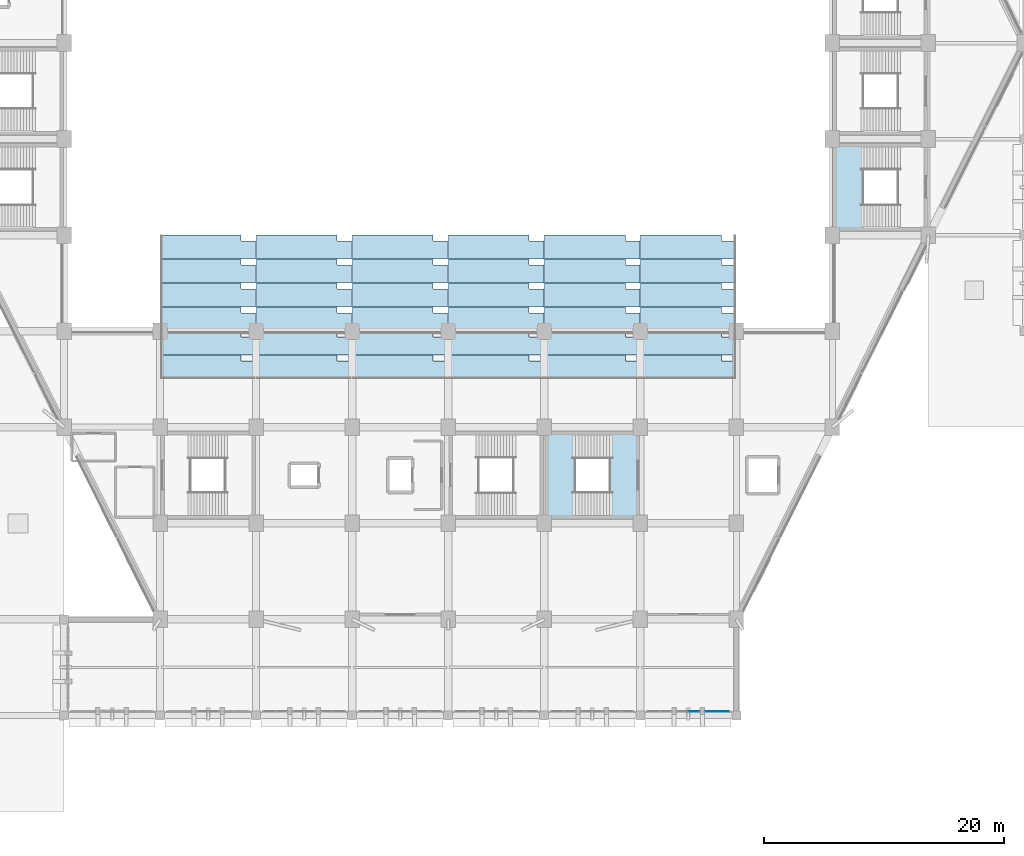
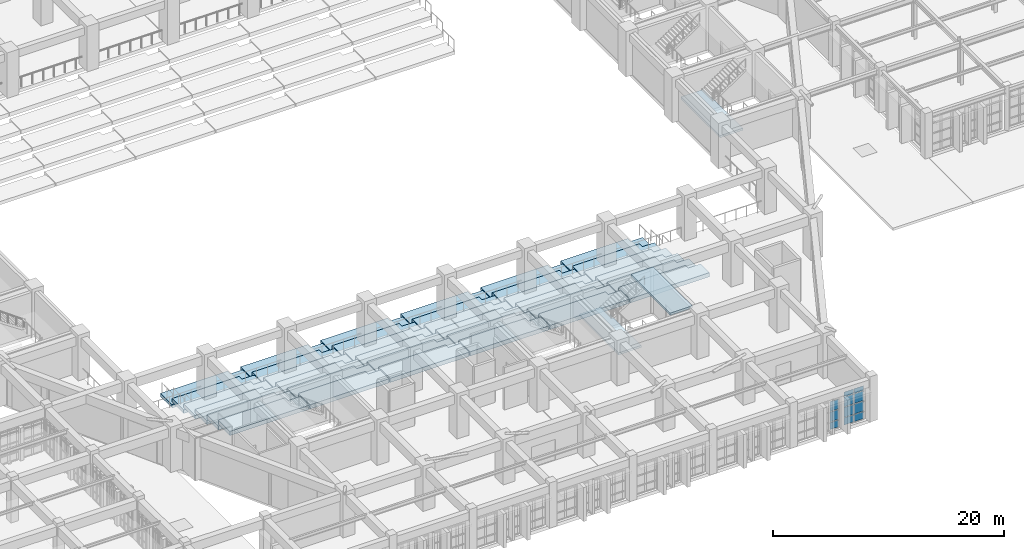
# One storey, part 97 of 155: 39 slabs, 11 plates, 4 elements without a shape of their own.
"""IFC4 building model written with IfcOpenShell, lengths in metres."""

from ifc_helpers import new_model, si_unit, direction, frame, origin, origin_2d, place, context, subcontext, project, spatial, polyline, rectangle, outline, extrude, material, layer, layer_set, type_object, element, aggregate, save


model = new_model("IFC4")

# Units and contexts
model_context = context("Model", 3, precision=1e-05, world=origin(), true_north=direction((0.0, 1.0)))
body_context = subcontext(model_context, "Body", "Model", "MODEL_VIEW")
ifc_project = project(units=[si_unit("LENGTHUNIT", "METRE"), si_unit("AREAUNIT", "SQUARE_METRE"), si_unit("VOLUMEUNIT", "CUBIC_METRE"), si_unit("PLANEANGLEUNIT", "RADIAN"), si_unit("MASSUNIT", "GRAM", prefix="KILO")], contexts=[model_context])

# Site, building, storey
site_placement = place(None, origin())
site = spatial("IfcSite", under=ifc_project, at=site_placement, CompositionType="ELEMENT")
building_placement = place(site_placement, origin())
building = spatial("IfcBuilding", under=site, at=building_placement, Name="Tazarka Park Arena", CompositionType="ELEMENT")
storey_placement = place(building_placement, frame((0.0, 0.0, 5.39990234375)))
storey = spatial("IfcBuildingStorey", under=building, at=storey_placement, Name="L01", CompositionType="ELEMENT", Elevation=5.39990234375)

# Curtain wall, plates
ifc_material_1 = material(Name="Aluminium and low-e glass", Category="aluminium")
ifc_layer_1 = layer(ifc_material_1, 0.179931640625, Name="Aluminium and low-e glass")
ifc_layer_set_1 = layer_set([ifc_layer_1], Name="Aluminium and low-e glass")
curtain_wall_type_1 = type_object("IfcCurtainWallType", Name="CW-22", PredefinedType="NOTDEFINED", material=ifc_layer_set_1)
curtain_wall_1_placement = place(storey_placement, origin())
curtain_wall_1 = element("IfcCurtainWall", 1, at=curtain_wall_1_placement, inside=storey, type_object=curtain_wall_type_1, Name="Curtain Wall CWA-L01-022", PredefinedType="NOTDEFINED")
ifc_material_2 = material(Name="Triple acoustic solar glazing", Category="glass")
ifc_layer_2 = layer(ifc_material_2, 0.031982421875, Name="Triple acoustic solar glazing")
ifc_layer_set_2 = layer_set([ifc_layer_2], Name="Triple acoustic solar glazing")
plate_type_1 = type_object("IfcPlateType", Name="CWP-02", PredefinedType="CURTAIN_PANEL", material=ifc_layer_set_2)
plate_1_placement = place(storey_placement, frame((110.91552734375, 8.320068359375, 0.065185546875), z_axis=(0.0, 0.0, 1.0), x_axis=(-1.0, 0.0, 0.0)))
plate_1 = element("IfcPlate", 2, at=plate_1_placement, type_object=plate_type_1, Name="CW-22 panel 1.1", PredefinedType="CURTAIN_PANEL", context=body_context, shape_type="SweptSolid", body=[
    extrude(rectangle(XDim=0.92919921875, YDim=0.031982421875, at=origin_2d()), origin(), (0.0, 0.0, 1.0), 0.75244140625),
])
plate_2_placement = place(storey_placement, frame((110.91552734375, 8.320068359375, 0.8828125), z_axis=(0.0, 0.0, 1.0), x_axis=(-1.0, 0.0, 0.0)))
plate_2 = element("IfcPlate", 3, at=plate_2_placement, type_object=plate_type_1, Name="CW-22 panel 1.2", PredefinedType="CURTAIN_PANEL", context=body_context, shape_type="SweptSolid", body=[
    extrude(rectangle(XDim=0.92919921875, YDim=0.031982421875, at=origin_2d()), origin(), (0.0, 0.0, 1.0), 1.034912109375),
])
plate_3_placement = place(storey_placement, frame((110.91552734375, 8.320068359375, 1.982421875), z_axis=(0.0, 0.0, 1.0), x_axis=(-1.0, 0.0, 0.0)))
plate_3 = element("IfcPlate", 4, at=plate_3_placement, type_object=plate_type_1, Name="CW-22 panel 1.3", PredefinedType="CURTAIN_PANEL", context=body_context, shape_type="SweptSolid", body=[
    extrude(rectangle(XDim=0.92919921875, YDim=0.031982421875, at=origin_2d()), origin(), (0.0, 0.0, 1.0), 1.034912109375),
])
plate_4_placement = place(storey_placement, frame((110.91552734375, 8.320068359375, 3.08251953125), z_axis=(0.0, 0.0, 1.0), x_axis=(-1.0, 0.0, 0.0)))
plate_4 = element("IfcPlate", 5, at=plate_4_placement, type_object=plate_type_1, Name="CW-22 panel 1.4", PredefinedType="CURTAIN_PANEL", context=body_context, shape_type="SweptSolid", body=[
    extrude(rectangle(XDim=0.92919921875, YDim=0.031982421875, at=origin_2d()), origin(), (0.0, 0.0, 1.0), 0.452392578125),
])
plate_5_placement = place(storey_placement, frame((109.92138671875, 8.320068359375, 0.065185546875), z_axis=(0.0, 0.0, 1.0), x_axis=(-1.0, 0.0, 0.0)))
plate_5 = element("IfcPlate", 6, at=plate_5_placement, type_object=plate_type_1, Name="CW-22 panel 2.1", PredefinedType="CURTAIN_PANEL", context=body_context, shape_type="SweptSolid", body=[
    extrude(rectangle(XDim=0.92919921875, YDim=0.031982421875, at=origin_2d()), origin(), (0.0, 0.0, 1.0), 0.75244140625),
])
plate_6_placement = place(storey_placement, frame((109.92138671875, 8.320068359375, 0.8828125), z_axis=(0.0, 0.0, 1.0), x_axis=(-1.0, 0.0, 0.0)))
plate_6 = element("IfcPlate", 7, at=plate_6_placement, type_object=plate_type_1, Name="CW-22 panel 2.2", PredefinedType="CURTAIN_PANEL", context=body_context, shape_type="SweptSolid", body=[
    extrude(rectangle(XDim=0.92919921875, YDim=0.031982421875, at=origin_2d()), origin(), (0.0, 0.0, 1.0), 1.034912109375),
])
plate_7_placement = place(storey_placement, frame((109.92138671875, 8.320068359375, 1.982421875), z_axis=(0.0, 0.0, 1.0), x_axis=(-1.0, 0.0, 0.0)))
plate_7 = element("IfcPlate", 8, at=plate_7_placement, type_object=plate_type_1, Name="CW-22 panel 2.3", PredefinedType="CURTAIN_PANEL", context=body_context, shape_type="SweptSolid", body=[
    extrude(rectangle(XDim=0.92919921875, YDim=0.031982421875, at=origin_2d()), origin(), (0.0, 0.0, 1.0), 1.034912109375),
])
plate_8_placement = place(storey_placement, frame((109.92138671875, 8.320068359375, 3.08251953125), z_axis=(0.0, 0.0, 1.0), x_axis=(-1.0, 0.0, 0.0)))
plate_8 = element("IfcPlate", 9, at=plate_8_placement, type_object=plate_type_1, Name="CW-22 panel 2.4", PredefinedType="CURTAIN_PANEL", context=body_context, shape_type="SweptSolid", body=[
    extrude(rectangle(XDim=0.92919921875, YDim=0.031982421875, at=origin_2d()), origin(), (0.0, 0.0, 1.0), 0.452392578125),
])
aggregate(curtain_wall_1, [plate_1, plate_2, plate_3, plate_4, plate_5, plate_6, plate_7, plate_8])

ifc_material_3 = material(Name="Aluminium and low-e glass", Category="aluminium")
ifc_layer_3 = layer(ifc_material_3, 0.179931640625, Name="Aluminium and low-e glass")
ifc_layer_set_3 = layer_set([ifc_layer_3], Name="Aluminium and low-e glass")
curtain_wall_type_2 = type_object("IfcCurtainWallType", Name="CW-23", PredefinedType="NOTDEFINED", material=ifc_layer_set_3)
curtain_wall_2_placement = place(storey_placement, origin())
curtain_wall_2 = element("IfcCurtainWall", 10, at=curtain_wall_2_placement, inside=storey, type_object=curtain_wall_type_2, Name="Curtain Wall CWA-L01-023", PredefinedType="NOTDEFINED")
ifc_material_4 = material(Name="Insulated aluminium spandrel panel", Category="aluminium")
ifc_layer_4 = layer(ifc_material_4, 0.035888671875, Name="Insulated aluminium spandrel panel")
ifc_layer_set_4 = layer_set([ifc_layer_4], Name="Insulated aluminium spandrel panel")
plate_type_2 = type_object("IfcPlateType", Name="CWP-03", PredefinedType="CURTAIN_PANEL", material=ifc_layer_set_4)
plate_9_placement = place(storey_placement, frame((108.467041015625, 8.320068359375, 0.0751953125), z_axis=(0.0, 0.0, 1.0), x_axis=(-1.0, 0.0, 0.0)))
plate_9 = element("IfcPlate", 11, at=plate_9_placement, type_object=plate_type_2, Name="CW-23 panel 1.1", PredefinedType="CURTAIN_PANEL", context=body_context, shape_type="SweptSolid", body=[
    extrude(rectangle(XDim=0.859130859375, YDim=0.035888671875, at=origin_2d()), origin(), (0.0, 0.0, 1.0), 0.737548828125),
])
plate_10_placement = place(storey_placement, frame((108.467041015625, 8.320068359375, 0.8876953125), z_axis=(0.0, 0.0, 1.0), x_axis=(-1.0, 0.0, 0.0)))
plate_10 = element("IfcPlate", 12, at=plate_10_placement, type_object=plate_type_2, Name="CW-23 panel 1.2", PredefinedType="CURTAIN_PANEL", context=body_context, shape_type="SweptSolid", body=[
    extrude(rectangle(XDim=0.859130859375, YDim=0.035888671875, at=origin_2d()), origin(), (0.0, 0.0, 1.0), 1.02490234375),
])
plate_11_placement = place(storey_placement, frame((108.467041015625, 8.320068359375, 1.987548828125), z_axis=(0.0, 0.0, 1.0), x_axis=(-1.0, 0.0, 0.0)))
plate_11 = element("IfcPlate", 13, at=plate_11_placement, type_object=plate_type_2, Name="CW-23 panel 1.3", PredefinedType="CURTAIN_PANEL", context=body_context, shape_type="SweptSolid", body=[
    extrude(rectangle(XDim=0.859130859375, YDim=0.035888671875, at=origin_2d()), origin(), (0.0, 0.0, 1.0), 1.02490234375),
])
aggregate(curtain_wall_2, [plate_9, plate_10, plate_11])

# Stair, slabs
ifc_material_5 = material(Name="Precast concrete C40/50", Category="concrete")
stair_type_1 = type_object("IfcStairType", Name="STR-2400", PredefinedType="HALF_TURN_STAIR", material=ifc_material_5)
stair_1_placement = place(storey_placement, origin())
stair_1 = element("IfcStair", 14, at=stair_1_placement, inside=storey, type_object=stair_type_1, Name="Stair ST11 L01", PredefinedType="HALF_TURN_STAIR")
ifc_material_6 = material(Name="Precast concrete C40/50", Category="concrete")
ifc_layer_5 = layer(ifc_material_6, 0.22998046875, Name="Precast concrete C40/50")
ifc_layer_set_5 = layer_set([ifc_layer_5], Name="Precast concrete C40/50")
slab_type_1 = type_object("IfcSlabType", Name="LND-03", PredefinedType="LANDING", material=ifc_layer_set_5)
slab_1_placement = place(storey_placement, frame((0.0, 0.0, 2.170166015625)))
slab_1 = element("IfcSlab", 15, at=slab_1_placement, type_object=slab_type_1, Name="ST11-L01 landing 1", PredefinedType="LANDING", context=body_context, shape_type="SweptSolid", body=[
    extrude(outline(polyline([(96.31005859375, 24.610107421875), (98.590087890625, 24.610107421875), (98.590087890625, 31.389892578125), (96.31005859375, 31.389892578125), (96.31005859375, 24.610107421875)])), origin(), (0.0, 0.0, 1.0), 0.22998046875),
])
slab_2_placement = place(storey_placement, frame((0.0, 0.0, 4.570068359375)))
slab_2 = element("IfcSlab", 16, at=slab_2_placement, type_object=slab_type_1, Name="ST11-L01 landing 2", PredefinedType="LANDING", context=body_context, shape_type="SweptSolid", body=[
    extrude(outline(polyline([(101.465087890625, 24.610107421875), (103.68994140625, 24.610107421875), (103.68994140625, 31.389892578125), (101.465087890625, 31.389892578125), (101.465087890625, 24.610107421875)])), origin(), (0.0, 0.0, 1.0), 0.22998046875),
])
aggregate(stair_1, [slab_1, slab_2])

# Stair, slab
ifc_material_7 = material(Name="Precast concrete C40/50", Category="concrete")
stair_type_2 = type_object("IfcStairType", Name="STR-1800", PredefinedType="HALF_TURN_STAIR", material=ifc_material_7)
stair_2_placement = place(storey_placement, origin())
stair_2 = element("IfcStair", 17, at=stair_2_placement, inside=storey, type_object=stair_type_2, Name="Vomitory Stair ST21 L01", PredefinedType="HALF_TURN_STAIR")
slab_3_placement = place(storey_placement, frame((0.0, 0.0, 2.170166015625)))
slab_3 = element("IfcSlab", 18, at=slab_3_placement, type_object=slab_type_1, Name="ST21-L01 landing 1", PredefinedType="LANDING", context=body_context, shape_type="SweptSolid", body=[
    extrude(outline(polyline([(120.31005859375, 48.610107421875), (122.590087890625, 48.610107421875), (122.590087890625, 55.389892578125), (120.31005859375, 55.389892578125), (120.31005859375, 48.610107421875)])), origin(), (0.0, 0.0, 1.0), 0.22998046875),
])
aggregate(stair_2, [slab_3])

# Slabs
ifc_material_8 = material(Name="Precast concrete C40/50", Category="concrete")
ifc_layer_6 = layer(ifc_material_8, 0.35009765625, Name="Precast concrete C40/50")
ifc_layer_set_6 = layer_set([ifc_layer_6], Name="Precast concrete C40/50")
slab_type_2 = type_object("IfcSlabType", Name="SLB-TR-01", PredefinedType="USERDEFINED", material=ifc_layer_set_6)
slab_4_placement = place(storey_placement, frame((0.0, 0.0, -5.099853515625)))
element("IfcSlab", 19, at=slab_4_placement, inside=storey, type_object=slab_type_2, Name="Stand Lower Tier S08-1", ObjectType="SEATING TIER", PredefinedType="USERDEFINED", context=body_context, shape_type="SweptSolid", body=[
    extrude(outline(polyline([(64.0400390625, 46.0), (71.9599609375, 46.0), (71.9599609375, 47.52001953125), (70.75, 47.52001953125), (70.75, 48.0), (64.0400390625, 48.0), (64.0400390625, 46.0)])), origin(), (0.0, 0.0, 1.0), 0.349853515625),
])
slab_5_placement = place(storey_placement, frame((0.0, 0.0, -5.099853515625)))
element("IfcSlab", 20, at=slab_5_placement, inside=storey, type_object=slab_type_2, Name="Stand Lower Tier S09-1", ObjectType="SEATING TIER", PredefinedType="USERDEFINED", context=body_context, shape_type="SweptSolid", body=[
    extrude(outline(polyline([(72.0400390625, 46.0), (79.9599609375, 46.0), (79.9599609375, 47.52001953125), (78.75, 47.52001953125), (78.75, 48.0), (72.0400390625, 48.0), (72.0400390625, 46.0)])), origin(), (0.0, 0.0, 1.0), 0.349853515625),
])
slab_6_placement = place(storey_placement, frame((0.0, 0.0, -5.099853515625)))
element("IfcSlab", 21, at=slab_6_placement, inside=storey, type_object=slab_type_2, Name="Stand Lower Tier S10-1", ObjectType="SEATING TIER", PredefinedType="USERDEFINED", context=body_context, shape_type="SweptSolid", body=[
    extrude(outline(polyline([(80.0400390625, 46.0), (87.9599609375, 46.0), (87.9599609375, 47.52001953125), (86.75, 47.52001953125), (86.75, 48.0), (80.0400390625, 48.0), (80.0400390625, 46.0)])), origin(), (0.0, 0.0, 1.0), 0.349853515625),
])
slab_7_placement = place(storey_placement, frame((0.0, 0.0, -5.099853515625)))
element("IfcSlab", 22, at=slab_7_placement, inside=storey, type_object=slab_type_2, Name="Stand Lower Tier S11-1", ObjectType="SEATING TIER", PredefinedType="USERDEFINED", context=body_context, shape_type="SweptSolid", body=[
    extrude(outline(polyline([(88.0400390625, 46.0), (95.9599609375, 46.0), (95.9599609375, 47.52001953125), (94.75, 47.52001953125), (94.75, 48.0), (88.0400390625, 48.0), (88.0400390625, 46.0)])), origin(), (0.0, 0.0, 1.0), 0.349853515625),
])
slab_8_placement = place(storey_placement, frame((0.0, 0.0, -5.099853515625)))
element("IfcSlab", 23, at=slab_8_placement, inside=storey, type_object=slab_type_2, Name="Stand Lower Tier S12-1", ObjectType="SEATING TIER", PredefinedType="USERDEFINED", context=body_context, shape_type="SweptSolid", body=[
    extrude(outline(polyline([(96.0400390625, 46.0), (103.9599609375, 46.0), (103.9599609375, 47.52001953125), (102.75, 47.52001953125), (102.75, 48.0), (96.0400390625, 48.0), (96.0400390625, 46.0)])), origin(), (0.0, 0.0, 1.0), 0.349853515625),
])
slab_9_placement = place(storey_placement, frame((0.0, 0.0, -5.099853515625)))
element("IfcSlab", 24, at=slab_9_placement, inside=storey, type_object=slab_type_2, Name="Stand Lower Tier S13-1", ObjectType="SEATING TIER", PredefinedType="USERDEFINED", context=body_context, shape_type="SweptSolid", body=[
    extrude(outline(polyline([(104.0400390625, 46.0), (111.9599609375, 46.0), (111.9599609375, 47.52001953125), (110.75, 47.52001953125), (110.75, 48.0), (104.0400390625, 48.0), (104.0400390625, 46.0)])), origin(), (0.0, 0.0, 1.0), 0.349853515625),
])
ifc_material_9 = material(Name="Precast concrete C40/50", Category="concrete")
ifc_layer_7 = layer(ifc_material_9, 0.3701171875, Name="Precast concrete C40/50")
ifc_layer_set_7 = layer_set([ifc_layer_7], Name="Precast concrete C40/50")
slab_type_3 = type_object("IfcSlabType", Name="SLB-TR-02", PredefinedType="USERDEFINED", material=ifc_layer_set_7)
slab_10_placement = place(storey_placement, frame((0.0, 0.0, -4.469970703125)))
element("IfcSlab", 25, at=slab_10_placement, inside=storey, type_object=slab_type_3, Name="Stand Lower Tier S08-2", ObjectType="SEATING TIER", PredefinedType="USERDEFINED", context=body_context, shape_type="SweptSolid", body=[
    extrude(outline(polyline([(64.0400390625, 44.0), (71.9599609375, 44.0), (71.9599609375, 45.52001953125), (70.75, 45.52001953125), (70.75, 46.0), (64.0400390625, 46.0), (64.0400390625, 44.0)])), origin(), (0.0, 0.0, 1.0), 0.3701171875),
])
slab_11_placement = place(storey_placement, frame((0.0, 0.0, -4.469970703125)))
element("IfcSlab", 26, at=slab_11_placement, inside=storey, type_object=slab_type_3, Name="Stand Lower Tier S09-2", ObjectType="SEATING TIER", PredefinedType="USERDEFINED", context=body_context, shape_type="SweptSolid", body=[
    extrude(outline(polyline([(72.0400390625, 44.0), (79.9599609375, 44.0), (79.9599609375, 45.52001953125), (78.75, 45.52001953125), (78.75, 46.0), (72.0400390625, 46.0), (72.0400390625, 44.0)])), origin(), (0.0, 0.0, 1.0), 0.3701171875),
])
slab_12_placement = place(storey_placement, frame((0.0, 0.0, -4.469970703125)))
element("IfcSlab", 27, at=slab_12_placement, inside=storey, type_object=slab_type_3, Name="Stand Lower Tier S10-2", ObjectType="SEATING TIER", PredefinedType="USERDEFINED", context=body_context, shape_type="SweptSolid", body=[
    extrude(outline(polyline([(80.0400390625, 44.0), (87.9599609375, 44.0), (87.9599609375, 45.52001953125), (86.75, 45.52001953125), (86.75, 46.0), (80.0400390625, 46.0), (80.0400390625, 44.0)])), origin(), (0.0, 0.0, 1.0), 0.3701171875),
])
slab_13_placement = place(storey_placement, frame((0.0, 0.0, -4.469970703125)))
element("IfcSlab", 28, at=slab_13_placement, inside=storey, type_object=slab_type_3, Name="Stand Lower Tier S11-2", ObjectType="SEATING TIER", PredefinedType="USERDEFINED", context=body_context, shape_type="SweptSolid", body=[
    extrude(outline(polyline([(88.0400390625, 44.0), (95.9599609375, 44.0), (95.9599609375, 45.52001953125), (94.75, 45.52001953125), (94.75, 46.0), (88.0400390625, 46.0), (88.0400390625, 44.0)])), origin(), (0.0, 0.0, 1.0), 0.3701171875),
])
slab_14_placement = place(storey_placement, frame((0.0, 0.0, -4.469970703125)))
element("IfcSlab", 29, at=slab_14_placement, inside=storey, type_object=slab_type_3, Name="Stand Lower Tier S12-2", ObjectType="SEATING TIER", PredefinedType="USERDEFINED", context=body_context, shape_type="SweptSolid", body=[
    extrude(outline(polyline([(96.0400390625, 44.0), (103.9599609375, 44.0), (103.9599609375, 45.52001953125), (102.75, 45.52001953125), (102.75, 46.0), (96.0400390625, 46.0), (96.0400390625, 44.0)])), origin(), (0.0, 0.0, 1.0), 0.3701171875),
])
slab_15_placement = place(storey_placement, frame((0.0, 0.0, -4.469970703125)))
element("IfcSlab", 30, at=slab_15_placement, inside=storey, type_object=slab_type_3, Name="Stand Lower Tier S13-2", ObjectType="SEATING TIER", PredefinedType="USERDEFINED", context=body_context, shape_type="SweptSolid", body=[
    extrude(outline(polyline([(104.0400390625, 44.0), (111.9599609375, 44.0), (111.9599609375, 45.52001953125), (110.75, 45.52001953125), (110.75, 46.0), (104.0400390625, 46.0), (104.0400390625, 44.0)])), origin(), (0.0, 0.0, 1.0), 0.3701171875),
])
ifc_material_10 = material(Name="Precast concrete C40/50", Category="concrete")
ifc_layer_8 = layer(ifc_material_10, 0.389892578125, Name="Precast concrete C40/50")
ifc_layer_set_8 = layer_set([ifc_layer_8], Name="Precast concrete C40/50")
slab_type_4 = type_object("IfcSlabType", Name="SLB-TR-03", PredefinedType="USERDEFINED", material=ifc_layer_set_8)
slab_16_placement = place(storey_placement, frame((0.0, 0.0, -3.83984375)))
element("IfcSlab", 31, at=slab_16_placement, inside=storey, type_object=slab_type_4, Name="Stand Lower Tier S08-3", ObjectType="SEATING TIER", PredefinedType="USERDEFINED", context=body_context, shape_type="SweptSolid", body=[
    extrude(outline(polyline([(64.0400390625, 42.0), (71.9599609375, 42.0), (71.9599609375, 43.52001953125), (70.75, 43.52001953125), (70.75, 44.0), (64.0400390625, 44.0), (64.0400390625, 42.0)])), origin(), (0.0, 0.0, 1.0), 0.389892578125),
])
slab_17_placement = place(storey_placement, frame((0.0, 0.0, -3.83984375)))
element("IfcSlab", 32, at=slab_17_placement, inside=storey, type_object=slab_type_4, Name="Stand Lower Tier S09-3", ObjectType="SEATING TIER", PredefinedType="USERDEFINED", context=body_context, shape_type="SweptSolid", body=[
    extrude(outline(polyline([(72.0400390625, 42.0), (79.9599609375, 42.0), (79.9599609375, 43.52001953125), (78.75, 43.52001953125), (78.75, 44.0), (72.0400390625, 44.0), (72.0400390625, 42.0)])), origin(), (0.0, 0.0, 1.0), 0.389892578125),
])
slab_18_placement = place(storey_placement, frame((0.0, 0.0, -3.83984375)))
element("IfcSlab", 33, at=slab_18_placement, inside=storey, type_object=slab_type_4, Name="Stand Lower Tier S10-3", ObjectType="SEATING TIER", PredefinedType="USERDEFINED", context=body_context, shape_type="SweptSolid", body=[
    extrude(outline(polyline([(80.0400390625, 42.0), (87.9599609375, 42.0), (87.9599609375, 43.52001953125), (86.75, 43.52001953125), (86.75, 44.0), (80.0400390625, 44.0), (80.0400390625, 42.0)])), origin(), (0.0, 0.0, 1.0), 0.389892578125),
])
slab_19_placement = place(storey_placement, frame((0.0, 0.0, -3.83984375)))
element("IfcSlab", 34, at=slab_19_placement, inside=storey, type_object=slab_type_4, Name="Stand Lower Tier S11-3", ObjectType="SEATING TIER", PredefinedType="USERDEFINED", context=body_context, shape_type="SweptSolid", body=[
    extrude(outline(polyline([(88.0400390625, 42.0), (95.9599609375, 42.0), (95.9599609375, 43.52001953125), (94.75, 43.52001953125), (94.75, 44.0), (88.0400390625, 44.0), (88.0400390625, 42.0)])), origin(), (0.0, 0.0, 1.0), 0.389892578125),
])
slab_20_placement = place(storey_placement, frame((0.0, 0.0, -3.83984375)))
element("IfcSlab", 35, at=slab_20_placement, inside=storey, type_object=slab_type_4, Name="Stand Lower Tier S12-3", ObjectType="SEATING TIER", PredefinedType="USERDEFINED", context=body_context, shape_type="SweptSolid", body=[
    extrude(outline(polyline([(96.0400390625, 42.0), (103.9599609375, 42.0), (103.9599609375, 43.52001953125), (102.75, 43.52001953125), (102.75, 44.0), (96.0400390625, 44.0), (96.0400390625, 42.0)])), origin(), (0.0, 0.0, 1.0), 0.389892578125),
])
slab_21_placement = place(storey_placement, frame((0.0, 0.0, -3.83984375)))
element("IfcSlab", 36, at=slab_21_placement, inside=storey, type_object=slab_type_4, Name="Stand Lower Tier S13-3", ObjectType="SEATING TIER", PredefinedType="USERDEFINED", context=body_context, shape_type="SweptSolid", body=[
    extrude(outline(polyline([(104.0400390625, 42.0), (111.9599609375, 42.0), (111.9599609375, 43.52001953125), (110.75, 43.52001953125), (110.75, 44.0), (104.0400390625, 44.0), (104.0400390625, 42.0)])), origin(), (0.0, 0.0, 1.0), 0.389892578125),
])
ifc_material_11 = material(Name="Precast concrete C40/50", Category="concrete")
ifc_layer_9 = layer(ifc_material_11, 0.409912109375, Name="Precast concrete C40/50")
ifc_layer_set_9 = layer_set([ifc_layer_9], Name="Precast concrete C40/50")
slab_type_5 = type_object("IfcSlabType", Name="SLB-TR-04", PredefinedType="USERDEFINED", material=ifc_layer_set_9)
slab_22_placement = place(storey_placement, frame((0.0, 0.0, -3.2099609375)))
element("IfcSlab", 37, at=slab_22_placement, inside=storey, type_object=slab_type_5, Name="Stand Lower Tier S08-4", ObjectType="SEATING TIER", PredefinedType="USERDEFINED", context=body_context, shape_type="SweptSolid", body=[
    extrude(outline(polyline([(64.0400390625, 40.0), (71.9599609375, 40.0), (71.9599609375, 41.52001953125), (70.75, 41.52001953125), (70.75, 42.0), (64.0400390625, 42.0), (64.0400390625, 40.0)])), origin(), (0.0, 0.0, 1.0), 0.41015625),
])
slab_23_placement = place(storey_placement, frame((0.0, 0.0, -3.2099609375)))
element("IfcSlab", 38, at=slab_23_placement, inside=storey, type_object=slab_type_5, Name="Stand Lower Tier S09-4", ObjectType="SEATING TIER", PredefinedType="USERDEFINED", context=body_context, shape_type="SweptSolid", body=[
    extrude(outline(polyline([(72.0400390625, 40.0), (79.9599609375, 40.0), (79.9599609375, 41.52001953125), (78.75, 41.52001953125), (78.75, 42.0), (72.0400390625, 42.0), (72.0400390625, 40.0)])), origin(), (0.0, 0.0, 1.0), 0.41015625),
])
slab_24_placement = place(storey_placement, frame((0.0, 0.0, -3.2099609375)))
element("IfcSlab", 39, at=slab_24_placement, inside=storey, type_object=slab_type_5, Name="Stand Lower Tier S10-4", ObjectType="SEATING TIER", PredefinedType="USERDEFINED", context=body_context, shape_type="SweptSolid", body=[
    extrude(outline(polyline([(80.0400390625, 40.0), (87.9599609375, 40.0), (87.9599609375, 41.52001953125), (86.75, 41.52001953125), (86.75, 42.0), (80.0400390625, 42.0), (80.0400390625, 40.0)])), origin(), (0.0, 0.0, 1.0), 0.41015625),
])
slab_25_placement = place(storey_placement, frame((0.0, 0.0, -3.2099609375)))
element("IfcSlab", 40, at=slab_25_placement, inside=storey, type_object=slab_type_5, Name="Stand Lower Tier S11-4", ObjectType="SEATING TIER", PredefinedType="USERDEFINED", context=body_context, shape_type="SweptSolid", body=[
    extrude(outline(polyline([(88.0400390625, 40.0), (95.9599609375, 40.0), (95.9599609375, 41.52001953125), (94.75, 41.52001953125), (94.75, 42.0), (88.0400390625, 42.0), (88.0400390625, 40.0)])), origin(), (0.0, 0.0, 1.0), 0.41015625),
])
slab_26_placement = place(storey_placement, frame((0.0, 0.0, -3.2099609375)))
element("IfcSlab", 41, at=slab_26_placement, inside=storey, type_object=slab_type_5, Name="Stand Lower Tier S12-4", ObjectType="SEATING TIER", PredefinedType="USERDEFINED", context=body_context, shape_type="SweptSolid", body=[
    extrude(outline(polyline([(96.0400390625, 40.0), (103.9599609375, 40.0), (103.9599609375, 41.52001953125), (102.75, 41.52001953125), (102.75, 42.0), (96.0400390625, 42.0), (96.0400390625, 40.0)])), origin(), (0.0, 0.0, 1.0), 0.41015625),
])
slab_27_placement = place(storey_placement, frame((0.0, 0.0, -3.2099609375)))
element("IfcSlab", 42, at=slab_27_placement, inside=storey, type_object=slab_type_5, Name="Stand Lower Tier S13-4", ObjectType="SEATING TIER", PredefinedType="USERDEFINED", context=body_context, shape_type="SweptSolid", body=[
    extrude(outline(polyline([(104.0400390625, 40.0), (111.9599609375, 40.0), (111.9599609375, 41.52001953125), (110.75, 41.52001953125), (110.75, 42.0), (104.0400390625, 42.0), (104.0400390625, 40.0)])), origin(), (0.0, 0.0, 1.0), 0.41015625),
])
ifc_material_12 = material(Name="Precast concrete C40/50", Category="concrete")
ifc_layer_10 = layer(ifc_material_12, 0.429931640625, Name="Precast concrete C40/50")
ifc_layer_set_10 = layer_set([ifc_layer_10], Name="Precast concrete C40/50")
slab_type_6 = type_object("IfcSlabType", Name="SLB-TR-05", PredefinedType="USERDEFINED", material=ifc_layer_set_10)
slab_28_placement = place(storey_placement, frame((0.0, 0.0, -2.579833984375)))
element("IfcSlab", 43, at=slab_28_placement, inside=storey, type_object=slab_type_6, Name="Stand Lower Tier S08-5", ObjectType="SEATING TIER", PredefinedType="USERDEFINED", context=body_context, shape_type="SweptSolid", body=[
    extrude(outline(polyline([(64.0400390625, 38.0), (71.9599609375, 38.0), (71.9599609375, 39.52001953125), (70.75, 39.52001953125), (70.75, 40.0), (64.0400390625, 40.0), (64.0400390625, 38.0)])), origin(), (0.0, 0.0, 1.0), 0.429931640625),
])
slab_29_placement = place(storey_placement, frame((0.0, 0.0, -2.579833984375)))
element("IfcSlab", 44, at=slab_29_placement, inside=storey, type_object=slab_type_6, Name="Stand Lower Tier S09-5", ObjectType="SEATING TIER", PredefinedType="USERDEFINED", context=body_context, shape_type="SweptSolid", body=[
    extrude(outline(polyline([(72.0400390625, 38.0), (79.9599609375, 38.0), (79.9599609375, 39.52001953125), (78.75, 39.52001953125), (78.75, 40.0), (72.0400390625, 40.0), (72.0400390625, 38.0)])), origin(), (0.0, 0.0, 1.0), 0.429931640625),
])
slab_30_placement = place(storey_placement, frame((0.0, 0.0, -2.579833984375)))
element("IfcSlab", 45, at=slab_30_placement, inside=storey, type_object=slab_type_6, Name="Stand Lower Tier S10-5", ObjectType="SEATING TIER", PredefinedType="USERDEFINED", context=body_context, shape_type="SweptSolid", body=[
    extrude(outline(polyline([(80.0400390625, 38.0), (87.9599609375, 38.0), (87.9599609375, 39.52001953125), (86.75, 39.52001953125), (86.75, 40.0), (80.0400390625, 40.0), (80.0400390625, 38.0)])), origin(), (0.0, 0.0, 1.0), 0.429931640625),
])
slab_31_placement = place(storey_placement, frame((0.0, 0.0, -2.579833984375)))
element("IfcSlab", 46, at=slab_31_placement, inside=storey, type_object=slab_type_6, Name="Stand Lower Tier S11-5", ObjectType="SEATING TIER", PredefinedType="USERDEFINED", context=body_context, shape_type="SweptSolid", body=[
    extrude(outline(polyline([(88.0400390625, 38.0), (95.9599609375, 38.0), (95.9599609375, 39.52001953125), (94.75, 39.52001953125), (94.75, 40.0), (88.0400390625, 40.0), (88.0400390625, 38.0)])), origin(), (0.0, 0.0, 1.0), 0.429931640625),
])
slab_32_placement = place(storey_placement, frame((0.0, 0.0, -2.579833984375)))
element("IfcSlab", 47, at=slab_32_placement, inside=storey, type_object=slab_type_6, Name="Stand Lower Tier S12-5", ObjectType="SEATING TIER", PredefinedType="USERDEFINED", context=body_context, shape_type="SweptSolid", body=[
    extrude(outline(polyline([(96.0400390625, 38.0), (103.9599609375, 38.0), (103.9599609375, 39.52001953125), (102.75, 39.52001953125), (102.75, 40.0), (96.0400390625, 40.0), (96.0400390625, 38.0)])), origin(), (0.0, 0.0, 1.0), 0.429931640625),
])
slab_33_placement = place(storey_placement, frame((0.0, 0.0, -2.579833984375)))
element("IfcSlab", 48, at=slab_33_placement, inside=storey, type_object=slab_type_6, Name="Stand Lower Tier S13-5", ObjectType="SEATING TIER", PredefinedType="USERDEFINED", context=body_context, shape_type="SweptSolid", body=[
    extrude(outline(polyline([(104.0400390625, 38.0), (111.9599609375, 38.0), (111.9599609375, 39.52001953125), (110.75, 39.52001953125), (110.75, 40.0), (104.0400390625, 40.0), (104.0400390625, 38.0)])), origin(), (0.0, 0.0, 1.0), 0.429931640625),
])
ifc_material_13 = material(Name="Precast concrete C40/50", Category="concrete")
ifc_layer_11 = layer(ifc_material_13, 0.43994140625, Name="Precast concrete C40/50")
ifc_layer_set_11 = layer_set([ifc_layer_11], Name="Precast concrete C40/50")
slab_type_7 = type_object("IfcSlabType", Name="SLB-TR-06", PredefinedType="USERDEFINED", material=ifc_layer_set_11)
slab_34_placement = place(storey_placement, frame((0.0, 0.0, -1.93994140625)))
element("IfcSlab", 49, at=slab_34_placement, inside=storey, type_object=slab_type_7, Name="Stand Lower Tier S08-6", ObjectType="SEATING TIER", PredefinedType="USERDEFINED", context=body_context, shape_type="SweptSolid", body=[
    extrude(outline(polyline([(64.0400390625, 36.0), (71.9599609375, 36.0), (71.9599609375, 37.52001953125), (70.75, 37.52001953125), (70.75, 38.0), (64.0400390625, 38.0), (64.0400390625, 36.0)])), origin(), (0.0, 0.0, 1.0), 0.43994140625),
])
slab_35_placement = place(storey_placement, frame((0.0, 0.0, -1.93994140625)))
element("IfcSlab", 50, at=slab_35_placement, inside=storey, type_object=slab_type_7, Name="Stand Lower Tier S09-6", ObjectType="SEATING TIER", PredefinedType="USERDEFINED", context=body_context, shape_type="SweptSolid", body=[
    extrude(outline(polyline([(72.0400390625, 36.0), (79.9599609375, 36.0), (79.9599609375, 37.52001953125), (78.75, 37.52001953125), (78.75, 38.0), (72.0400390625, 38.0), (72.0400390625, 36.0)])), origin(), (0.0, 0.0, 1.0), 0.43994140625),
])
slab_36_placement = place(storey_placement, frame((0.0, 0.0, -1.93994140625)))
element("IfcSlab", 51, at=slab_36_placement, inside=storey, type_object=slab_type_7, Name="Stand Lower Tier S10-6", ObjectType="SEATING TIER", PredefinedType="USERDEFINED", context=body_context, shape_type="SweptSolid", body=[
    extrude(outline(polyline([(80.0400390625, 36.0), (87.9599609375, 36.0), (87.9599609375, 37.52001953125), (86.75, 37.52001953125), (86.75, 38.0), (80.0400390625, 38.0), (80.0400390625, 36.0)])), origin(), (0.0, 0.0, 1.0), 0.43994140625),
])
slab_37_placement = place(storey_placement, frame((0.0, 0.0, -1.93994140625)))
element("IfcSlab", 52, at=slab_37_placement, inside=storey, type_object=slab_type_7, Name="Stand Lower Tier S11-6", ObjectType="SEATING TIER", PredefinedType="USERDEFINED", context=body_context, shape_type="SweptSolid", body=[
    extrude(outline(polyline([(88.0400390625, 36.0), (95.9599609375, 36.0), (95.9599609375, 37.52001953125), (94.75, 37.52001953125), (94.75, 38.0), (88.0400390625, 38.0), (88.0400390625, 36.0)])), origin(), (0.0, 0.0, 1.0), 0.43994140625),
])
slab_38_placement = place(storey_placement, frame((0.0, 0.0, -1.93994140625)))
element("IfcSlab", 53, at=slab_38_placement, inside=storey, type_object=slab_type_7, Name="Stand Lower Tier S12-6", ObjectType="SEATING TIER", PredefinedType="USERDEFINED", context=body_context, shape_type="SweptSolid", body=[
    extrude(outline(polyline([(96.0400390625, 36.0), (103.9599609375, 36.0), (103.9599609375, 37.52001953125), (102.75, 37.52001953125), (102.75, 38.0), (96.0400390625, 38.0), (96.0400390625, 36.0)])), origin(), (0.0, 0.0, 1.0), 0.43994140625),
])
slab_39_placement = place(storey_placement, frame((0.0, 0.0, -1.93994140625)))
element("IfcSlab", 54, at=slab_39_placement, inside=storey, type_object=slab_type_7, Name="Stand Lower Tier S13-6", ObjectType="SEATING TIER", PredefinedType="USERDEFINED", context=body_context, shape_type="SweptSolid", body=[
    extrude(outline(polyline([(104.0400390625, 36.0), (111.9599609375, 36.0), (111.9599609375, 37.52001953125), (110.75, 37.52001953125), (110.75, 38.0), (104.0400390625, 38.0), (104.0400390625, 36.0)])), origin(), (0.0, 0.0, 1.0), 0.43994140625),
])

save(model, "model.ifc")
